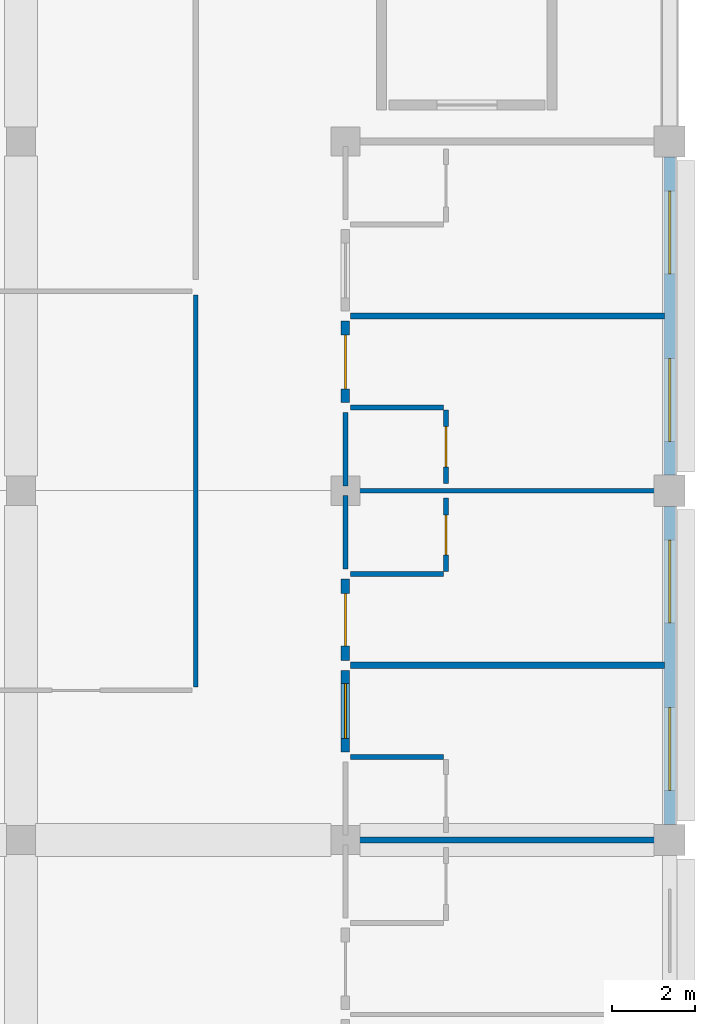
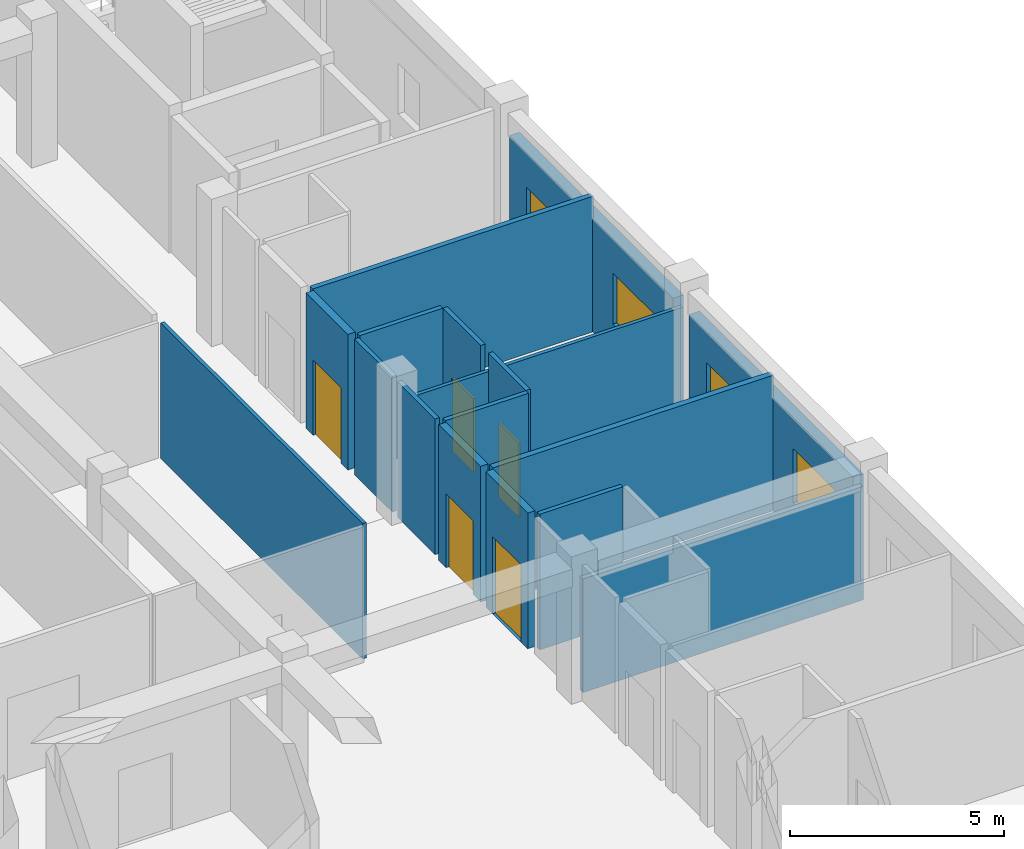
# One storey, part 36 of 53: 17 walls, 5 doors, 4 windows, 9 openings.
"""IFC4 building model written with IfcOpenShell, lengths in metres."""

from ifc_helpers import new_model, si_unit, direction, frame, frame_2d, origin, place, context, subcontext, project, spatial, rectangle, extrude, material, layer, layer_set, type_object, element, fill, save


model = new_model("IFC4")

# Units and contexts
model_context = context("Model", 3, precision=1e-05, world=origin(), true_north=direction((0.0, 1.0)))
body_context = subcontext(model_context, "Body", "Model", "MODEL_VIEW")
ifc_project = project(units=[si_unit("LENGTHUNIT", "METRE"), si_unit("AREAUNIT", "SQUARE_METRE"), si_unit("VOLUMEUNIT", "CUBIC_METRE"), si_unit("PLANEANGLEUNIT", "RADIAN"), si_unit("MASSUNIT", "GRAM", prefix="KILO"), si_unit("THERMODYNAMICTEMPERATUREUNIT", "KELVIN"), si_unit("POWERUNIT", "WATT")], contexts=[model_context])

# Site, building, storey
site_placement = place(None, origin())
site = spatial("IfcSite", under=ifc_project, at=site_placement, CompositionType="ELEMENT")
building_placement = place(site_placement, origin())
building = spatial("IfcBuilding", under=site, at=building_placement, Name="Srebrne Nadtorze General Hospital", CompositionType="ELEMENT")
storey_placement = place(building_placement, frame((0.0, 0.0, 18.0)))
storey = spatial("IfcBuildingStorey", under=building, at=storey_placement, Name="L04", CompositionType="ELEMENT", Elevation=18.0)

# Walls
ifc_material_1 = material(Name="Gypsum Healthcare Partition")
ifc_layer_1 = layer(ifc_material_1, 0.139892578125)
ifc_layer_set_1 = layer_set([ifc_layer_1], Name="Gypsum Healthcare Partition")
wall_type_1 = type_object("IfcWallType", Name="Clinical partition 140", PredefinedType="PARTITIONING", material=ifc_layer_set_1)
wall_1_placement = place(storey_placement, frame((140.52001953125, 50.39990234375, 0.0), z_axis=(0.0, 0.0, 1.0), x_axis=(1.0, 0.0, 0.0)))
element("IfcWall", 1, at=wall_1_placement, inside=storey, type_object=wall_type_1, Name="Ward inter-room partition WL-INT-L04-1792", PredefinedType="PARTITIONING", context=body_context, shape_type="SweptSolid", body=[
    extrude(rectangle(XDim=7.56005859375, YDim=0.139892578125, at=frame_2d((3.780029296875, 0.0))), origin(), (0.0, 0.0, 1.0), 3.235107421875),
])
wall_2_placement = place(storey_placement, frame((140.52001953125, 63.0, 0.0), z_axis=(0.0, 0.0, 1.0), x_axis=(1.0, 0.0, 0.0)))
element("IfcWall", 2, at=wall_2_placement, inside=storey, type_object=wall_type_1, Name="Ward inter-room partition WL-INT-L04-1807", PredefinedType="PARTITIONING", context=body_context, shape_type="SweptSolid", body=[
    extrude(rectangle(XDim=7.56005859375, YDim=0.139892578125, at=frame_2d((3.780029296875, 0.0))), origin(), (0.0, 0.0, 1.0), 3.864990234375),
])
ifc_material_2 = material(Name="Gypsum Healthcare Partition")
ifc_layer_2 = layer(ifc_material_2, 0.159912109375)
ifc_layer_set_2 = layer_set([ifc_layer_2], Name="Gypsum Healthcare Partition")
wall_type_2 = type_object("IfcWallType", Name="Clinical partition 160", PredefinedType="PARTITIONING", material=ifc_layer_set_2)
wall_3_placement = place(storey_placement, frame((140.52001953125, 54.60009765625, 0.0), z_axis=(0.0, 0.0, 1.0), x_axis=(1.0, 0.0, 0.0)))
element("IfcWall", 3, at=wall_3_placement, inside=storey, type_object=wall_type_2, Name="Ward inter-room partition WL-INT-L04-1797", PredefinedType="PARTITIONING", context=body_context, shape_type="SweptSolid", body=[
    extrude(rectangle(XDim=7.56005859375, YDim=0.159912109375, at=frame_2d((3.780029296875, 0.0))), origin(), (0.0, 0.0, 1.0), 3.864990234375),
])

# Wall, opening, door
ifc_material_3 = material(Name="Gypsum Healthcare Partition")
ifc_layer_3 = layer(ifc_material_3, 0.199951171875)
ifc_layer_set_3 = layer_set([ifc_layer_3], Name="Gypsum Healthcare Partition")
wall_type_3 = type_object("IfcWallType", Name="Compartment wall 200", PredefinedType="STANDARD", material=ifc_layer_set_3)
wall_4_placement = place(storey_placement, frame((140.39990234375, 52.52001953125, 0.0), z_axis=(0.0, 0.0, 1.0), x_axis=(0.0, 1.0, 0.0)))
wall_4 = element("IfcWall", 4, at=wall_4_placement, inside=storey, type_object=wall_type_3, Name="Ward corridor wall WL-INT-L04-1798", PredefinedType="STANDARD", context=body_context, shape_type="SweptSolid", body=[
    extrude(rectangle(XDim=1.9599609375, YDim=0.199951171875, at=frame_2d((0.97998046875, 0.0))), origin(), (0.0, 0.0, 1.0), 3.864990234375),
])
opening_1_placement = place(wall_4_placement, frame((0.320068359375, 0.0, 0.0)))
opening_1 = element("IfcOpeningElement", 5, at=opening_1_placement, cuts=wall_4, Name="Opening D-L04-0334", PredefinedType="OPENING", context=body_context, shape_type="SweptSolid", body=[
    extrude(rectangle(XDim=1.320068359375, YDim=2.199951171875, at=frame_2d((0.66015625, 1.10009765625))), frame((0.0, 0.11181640625, 0.0), z_axis=(0.0, -1.0, 0.0), x_axis=(1.0, 0.0, 0.0)), (0.0, 0.0, 1.0), 0.223876953125),
])
ifc_material_4 = material(Name="Anodised Aluminium", Category="aluminium")
door_type_1 = type_object("IfcDoorType", Name="Single leaf door 1320x2200", OperationType="NOTDEFINED", PredefinedType="DOOR", material=ifc_material_4)
door_1_placement = place(opening_1_placement, frame((1.320068359375, 0.0, 0.0), z_axis=(0.0, 0.0, 1.0), x_axis=(-1.0, 0.0, 0.0)))
door_1 = element("IfcDoor", 6, at=door_1_placement, inside=storey, type_object=door_type_1, Name="Ward patient room door D-L04-0334", OperationType="SINGLE_SWING_RIGHT", OverallHeight=2.199951171875, OverallWidth=1.320068359375, PredefinedType="DOOR", context=body_context, shape_type="SweptSolid", body=[
    extrude(rectangle(XDim=1.320068359375, YDim=2.199951171875, at=frame_2d((0.66015625, 1.10009765625))), frame((0.0, 0.02490234375, 0.0), z_axis=(0.0, -1.0, 0.0), x_axis=(1.0, 0.0, 0.0)), (0.0, 0.0, 1.0), 0.050048828125),
])
fill(opening_1, door_1)

wall_5_placement = place(storey_placement, frame((140.39990234375, 54.719970703125, 0.0), z_axis=(0.0, 0.0, 1.0), x_axis=(0.0, 1.0, 0.0)))
wall_5 = element("IfcWall", 7, at=wall_5_placement, inside=storey, type_object=wall_type_3, Name="Ward corridor wall WL-INT-L04-1803", PredefinedType="STANDARD", context=body_context, shape_type="SweptSolid", body=[
    extrude(rectangle(XDim=1.9599609375, YDim=0.199951171875, at=frame_2d((0.97998046875, 0.0))), origin(), (0.0, 0.0, 1.0), 3.864990234375),
])
opening_2_placement = place(wall_5_placement, frame((0.35009765625, 0.0, 0.0)))
opening_2 = element("IfcOpeningElement", 8, at=opening_2_placement, cuts=wall_5, Name="Opening D-L04-0336", PredefinedType="OPENING", context=body_context, shape_type="SweptSolid", body=[
    extrude(rectangle(XDim=1.260009765625, YDim=2.10009765625, at=frame_2d((0.6298828125, 1.050048828125))), frame((0.0, 0.11181640625, 0.0), z_axis=(0.0, -1.0, 0.0), x_axis=(1.0, 0.0, 0.0)), (0.0, 0.0, 1.0), 0.223876953125),
])
ifc_material_5 = material(Name="Anodised Aluminium", Category="aluminium")
door_type_2 = type_object("IfcDoorType", Name="Single leaf door 1260x2100", OperationType="NOTDEFINED", PredefinedType="DOOR", material=ifc_material_5)
door_2_placement = place(opening_2_placement, frame((1.260009765625, 0.0, 0.0), z_axis=(0.0, 0.0, 1.0), x_axis=(-1.0, 0.0, 0.0)))
door_2 = element("IfcDoor", 9, at=door_2_placement, inside=storey, type_object=door_type_2, Name="Ward patient room door D-L04-0336", OperationType="SINGLE_SWING_RIGHT", OverallHeight=2.10009765625, OverallWidth=1.260009765625, PredefinedType="DOOR", context=body_context, shape_type="SweptSolid", body=[
    extrude(rectangle(XDim=1.260009765625, YDim=2.10009765625, at=frame_2d((0.6298828125, 1.050048828125))), frame((0.0, 0.02490234375, 0.0), z_axis=(0.0, -1.0, 0.0), x_axis=(1.0, 0.0, 0.0)), (0.0, 0.0, 1.0), 0.050048828125),
])
fill(opening_2, door_2)

wall_6_placement = place(storey_placement, frame((140.39990234375, 60.919921875, 0.0), z_axis=(0.0, 0.0, 1.0), x_axis=(0.0, 1.0, 0.0)))
wall_6 = element("IfcWall", 10, at=wall_6_placement, inside=storey, type_object=wall_type_3, Name="Ward corridor wall WL-INT-L04-1808", PredefinedType="STANDARD", context=body_context, shape_type="SweptSolid", body=[
    extrude(rectangle(XDim=1.9599609375, YDim=0.199951171875, at=frame_2d((0.97998046875, 0.0))), origin(), (0.0, 0.0, 1.0), 3.864990234375),
])
opening_3_placement = place(wall_6_placement, frame((0.330078125, 0.0, 0.0)))
opening_3 = element("IfcOpeningElement", 11, at=opening_3_placement, cuts=wall_6, Name="Opening D-L04-0338", PredefinedType="OPENING", context=body_context, shape_type="SweptSolid", body=[
    extrude(rectangle(XDim=1.300048828125, YDim=2.14990234375, at=frame_2d((0.64990234375, 1.074951171875))), frame((0.0, 0.11181640625, 0.0), z_axis=(0.0, -1.0, 0.0), x_axis=(1.0, 0.0, 0.0)), (0.0, 0.0, 1.0), 0.223876953125),
])
ifc_material_6 = material(Name="Anodised Aluminium", Category="aluminium")
door_type_3 = type_object("IfcDoorType", Name="Single leaf door 1300x2150", OperationType="NOTDEFINED", PredefinedType="DOOR", material=ifc_material_6)
door_3_placement = place(opening_3_placement, frame((1.300048828125, 0.0, 0.0), z_axis=(0.0, 0.0, 1.0), x_axis=(-1.0, 0.0, 0.0)))
door_3 = element("IfcDoor", 12, at=door_3_placement, inside=storey, type_object=door_type_3, Name="Ward patient room door D-L04-0338", OperationType="SINGLE_SWING_RIGHT", OverallHeight=2.14990234375, OverallWidth=1.300048828125, PredefinedType="DOOR", context=body_context, shape_type="SweptSolid", body=[
    extrude(rectangle(XDim=1.300048828125, YDim=2.14990234375, at=frame_2d((0.64990234375, 1.074951171875))), frame((0.0, 0.02490234375, 0.0), z_axis=(0.0, -1.0, 0.0), x_axis=(1.0, 0.0, 0.0)), (0.0, 0.0, 1.0), 0.050048828125),
])
fill(opening_3, door_3)

# Walls
ifc_material_7 = material(Name="Gypsum Healthcare Partition")
ifc_layer_4 = layer(ifc_material_7, 0.1201171875)
ifc_layer_set_4 = layer_set([ifc_layer_4], Name="Gypsum Healthcare Partition")
wall_type_4 = type_object("IfcWallType", Name="En-suite partition 120", PredefinedType="PARTITIONING", material=ifc_layer_set_4)
wall_7_placement = place(storey_placement, frame((140.52001953125, 52.39990234375, 0.0), z_axis=(0.0, 0.0, 1.0), x_axis=(1.0, 0.0, 0.0)))
element("IfcWall", 13, at=wall_7_placement, inside=storey, type_object=wall_type_4, Name="En-suite wet wall WL-INT-L04-1800", PredefinedType="PARTITIONING", context=body_context, shape_type="SweptSolid", body=[
    extrude(rectangle(XDim=2.239990234375, YDim=0.1201171875, at=frame_2d((1.1201171875, 0.0))), origin(), (0.0, 0.0, 1.0), 3.864990234375),
])
wall_8_placement = place(storey_placement, frame((140.39990234375, 56.919921875, 0.0), z_axis=(0.0, 0.0, 1.0), x_axis=(0.0, 1.0, 0.0)))
element("IfcWall", 14, at=wall_8_placement, inside=storey, type_object=wall_type_4, Name="En-suite corridor wall WL-INT-L04-1804", PredefinedType="PARTITIONING", context=body_context, shape_type="SweptSolid", body=[
    extrude(rectangle(XDim=1.760009765625, YDim=0.1201171875, at=frame_2d((0.8798828125, 0.0))), origin(), (0.0, 0.0, 1.0), 3.864990234375),
])
wall_9_placement = place(storey_placement, frame((140.52001953125, 56.800048828125, 0.0), z_axis=(0.0, 0.0, 1.0), x_axis=(1.0, 0.0, 0.0)))
element("IfcWall", 15, at=wall_9_placement, inside=storey, type_object=wall_type_4, Name="En-suite wet wall WL-INT-L04-1805", PredefinedType="PARTITIONING", context=body_context, shape_type="SweptSolid", body=[
    extrude(rectangle(XDim=2.239990234375, YDim=0.1201171875, at=frame_2d((1.1201171875, 0.0))), origin(), (0.0, 0.0, 1.0), 3.864990234375),
])

# Wall, opening, door
wall_10_placement = place(storey_placement, frame((142.820068359375, 56.860107421875, 0.0), z_axis=(0.0, 0.0, 1.0), x_axis=(0.0, 1.0, 0.0)))
wall_10 = element("IfcWall", 16, at=wall_10_placement, inside=storey, type_object=wall_type_4, Name="En-suite wet wall WL-INT-L04-1806", PredefinedType="PARTITIONING", context=body_context, shape_type="SweptSolid", body=[
    extrude(rectangle(XDim=1.760009765625, YDim=0.1201171875, at=frame_2d((0.8798828125, 0.0))), origin(), (0.0, 0.0, 1.0), 3.864990234375),
])
opening_4_placement = place(wall_10_placement, frame((0.39990234375, 0.0, 0.0)))
opening_4 = element("IfcOpeningElement", 17, at=opening_4_placement, cuts=wall_10, Name="Opening D-L04-0337", PredefinedType="OPENING", context=body_context, shape_type="SweptSolid", body=[
    extrude(rectangle(XDim=0.9599609375, YDim=2.1201171875, at=frame_2d((0.47998046875, 1.06005859375))), frame((0.0, 0.072021484375, 0.0), z_axis=(0.0, -1.0, 0.0), x_axis=(1.0, 0.0, 0.0)), (0.0, 0.0, 1.0), 0.14404296875),
])
ifc_material_8 = material(Name="Anodised Aluminium", Category="aluminium")
door_type_4 = type_object("IfcDoorType", Name="Single leaf door 960x2120", OperationType="NOTDEFINED", PredefinedType="DOOR", material=ifc_material_8)
door_4_placement = place(opening_4_placement, origin())
door_4 = element("IfcDoor", 18, at=door_4_placement, inside=storey, type_object=door_type_4, Name="En-suite bathroom door D-L04-0337", OperationType="SINGLE_SWING_RIGHT", OverallHeight=2.1201171875, OverallWidth=0.9599609375, PredefinedType="DOOR", context=body_context, shape_type="SweptSolid", body=[
    extrude(rectangle(XDim=0.9599609375, YDim=2.1201171875, at=frame_2d((0.47998046875, 1.06005859375))), frame((0.0, 0.02490234375, 0.0), z_axis=(0.0, -1.0, 0.0), x_axis=(1.0, 0.0, 0.0)), (0.0, 0.0, 1.0), 0.050048828125),
])
fill(opening_4, door_4)

# Walls
wall_11_placement = place(storey_placement, frame((140.39990234375, 58.919921875, 0.0), z_axis=(0.0, 0.0, 1.0), x_axis=(0.0, 1.0, 0.0)))
element("IfcWall", 19, at=wall_11_placement, inside=storey, type_object=wall_type_4, Name="En-suite corridor wall WL-INT-L04-1809", PredefinedType="PARTITIONING", context=body_context, shape_type="SweptSolid", body=[
    extrude(rectangle(XDim=1.760009765625, YDim=0.1201171875, at=frame_2d((0.8798828125, 0.0))), origin(), (0.0, 0.0, 1.0), 3.864990234375),
])
wall_12_placement = place(storey_placement, frame((140.52001953125, 60.800048828125, 0.0), z_axis=(0.0, 0.0, 1.0), x_axis=(1.0, 0.0, 0.0)))
element("IfcWall", 20, at=wall_12_placement, inside=storey, type_object=wall_type_4, Name="En-suite wet wall WL-INT-L04-1810", PredefinedType="PARTITIONING", context=body_context, shape_type="SweptSolid", body=[
    extrude(rectangle(XDim=2.239990234375, YDim=0.1201171875, at=frame_2d((1.1201171875, 0.0))), origin(), (0.0, 0.0, 1.0), 3.864990234375),
])

# Wall, opening, door
wall_13_placement = place(storey_placement, frame((142.820068359375, 58.97998046875, 0.0), z_axis=(0.0, 0.0, 1.0), x_axis=(0.0, 1.0, 0.0)))
wall_13 = element("IfcWall", 21, at=wall_13_placement, inside=storey, type_object=wall_type_4, Name="En-suite wet wall WL-INT-L04-1811", PredefinedType="PARTITIONING", context=body_context, shape_type="SweptSolid", body=[
    extrude(rectangle(XDim=1.760009765625, YDim=0.1201171875, at=frame_2d((0.8798828125, 0.0))), origin(), (0.0, 0.0, 1.0), 3.864990234375),
])
opening_5_placement = place(wall_13_placement, frame((0.389892578125, 0.0, 0.0)))
opening_5 = element("IfcOpeningElement", 22, at=opening_5_placement, cuts=wall_13, Name="Opening D-L04-0339", PredefinedType="OPENING", context=body_context, shape_type="SweptSolid", body=[
    extrude(rectangle(XDim=0.97998046875, YDim=2.10009765625, at=frame_2d((0.489990234375, 1.050048828125))), frame((0.0, 0.072021484375, 0.0), z_axis=(0.0, -1.0, 0.0), x_axis=(1.0, 0.0, 0.0)), (0.0, 0.0, 1.0), 0.14404296875),
])
ifc_material_9 = material(Name="Anodised Aluminium", Category="aluminium")
door_type_5 = type_object("IfcDoorType", Name="Single leaf door 980x2100", OperationType="NOTDEFINED", PredefinedType="DOOR", material=ifc_material_9)
door_5_placement = place(opening_5_placement, origin())
door_5 = element("IfcDoor", 23, at=door_5_placement, inside=storey, type_object=door_type_5, Name="En-suite bathroom door D-L04-0339", OperationType="SINGLE_SWING_RIGHT", OverallHeight=2.10009765625, OverallWidth=0.97998046875, PredefinedType="DOOR", context=body_context, shape_type="SweptSolid", body=[
    extrude(rectangle(XDim=0.97998046875, YDim=2.10009765625, at=frame_2d((0.489990234375, 1.050048828125))), frame((0.0, 0.02490234375, 0.0), z_axis=(0.0, -1.0, 0.0), x_axis=(1.0, 0.0, 0.0)), (0.0, 0.0, 1.0), 0.050048828125),
])
fill(opening_5, door_5)

# Walls
ifc_material_10 = material(Name="Gypsum Healthcare Partition")
ifc_layer_5 = layer(ifc_material_10, 0.10009765625)
ifc_layer_set_5 = layer_set([ifc_layer_5], Name="Gypsum Healthcare Partition")
wall_type_5 = type_object("IfcWallType", Name="Shaft lining wall 100", PredefinedType="PARTITIONING", material=ifc_layer_set_5)
wall_14_placement = place(storey_placement, frame((140.52001953125, 58.800048828125, 0.0), z_axis=(0.0, 0.0, 1.0), x_axis=(1.0, 0.0, 0.0)))
element("IfcWall", 24, at=wall_14_placement, inside=storey, type_object=wall_type_5, Name="Ward inter-room partition WL-INT-L04-1802", PredefinedType="PARTITIONING", context=body_context, shape_type="SweptSolid", body=[
    extrude(rectangle(XDim=7.56005859375, YDim=0.10009765625, at=frame_2d((3.780029296875, 0.0))), origin(), (0.0, 0.0, 1.0), 3.235107421875),
])
wall_15_placement = place(storey_placement, frame((136.800048828125, 54.0849609375, 0.0), z_axis=(0.0, 0.0, 1.0), x_axis=(0.0, 1.0, 0.0)))
element("IfcWall", 25, at=wall_15_placement, inside=storey, type_object=wall_type_5, Name="Dirty Utility wall WL-INT-L04-1847", PredefinedType="PARTITIONING", context=body_context, shape_type="SweptSolid", body=[
    extrude(rectangle(XDim=9.429931640625, YDim=0.10009765625, at=frame_2d((4.71484375, 0.0))), origin(), (0.0, 0.0, 1.0), 3.864990234375),
])

# Wall, openings, windows
ifc_material_11 = material(Name="Concrete C35/45 precast", Category="concrete")
ifc_layer_6 = layer(ifc_material_11, 0.280029296875)
ifc_layer_set_6 = layer_set([ifc_layer_6], Name="Concrete C35/45 precast")
wall_type_6 = type_object("IfcWallType", Name="Spandrel wall 280", PredefinedType="STANDARD", material=ifc_layer_set_6)
wall_16_placement = place(storey_placement, frame((148.199951171875, 50.77490234375, 0.0), z_axis=(0.0, 0.0, 1.0), x_axis=(0.0, 1.0, 0.0)))
wall_16 = element("IfcWall", 26, at=wall_16_placement, inside=storey, type_object=wall_type_6, Name="Exterior wall WL-ENV-L04-0399", PredefinedType="STANDARD", context=body_context, shape_type="SweptSolid", body=[
    extrude(rectangle(XDim=7.650146484375, YDim=0.280029296875, at=frame_2d((3.8251953125, 0.0))), origin(), (0.0, 0.0, 1.0), 3.235107421875),
])
opening_6_placement = place(wall_16_placement, frame((0.80908203125, 0.0, 0.800048828125)))
opening_6 = element("IfcOpeningElement", 27, at=opening_6_placement, cuts=wall_16, Name="Opening WN-L04-0625", PredefinedType="OPENING", context=body_context, shape_type="SweptSolid", body=[
    extrude(rectangle(XDim=2.0, YDim=1.550048828125, at=frame_2d((1.0, 0.77490234375))), frame((0.0, 0.15185546875, 0.0), z_axis=(0.0, -1.0, 0.0), x_axis=(1.0, 0.0, 0.0)), (0.0, 0.0, 1.0), 0.303955078125),
])
opening_7_placement = place(wall_16_placement, frame((4.841064453125, 0.0, 0.800048828125)))
opening_7 = element("IfcOpeningElement", 28, at=opening_7_placement, cuts=wall_16, Name="Opening WN-L04-0626", PredefinedType="OPENING", context=body_context, shape_type="SweptSolid", body=[
    extrude(rectangle(XDim=2.0, YDim=1.550048828125, at=frame_2d((1.0, 0.77490234375))), frame((0.0, 0.15185546875, 0.0), z_axis=(0.0, -1.0, 0.0), x_axis=(1.0, 0.0, 0.0)), (0.0, 0.0, 1.0), 0.303955078125),
])
ifc_material_12 = material(Name="Triple Low-E Glazing", Category="glass")
window_type_1 = type_object("IfcWindowType", Name="Punched clinical window 2000x1550", PartitioningType="DOUBLE_PANEL_VERTICAL", PredefinedType="WINDOW", material=ifc_material_12)
window_1_placement = place(opening_6_placement, origin())
window_1 = element("IfcWindow", 29, at=window_1_placement, inside=storey, type_object=window_type_1, Name="Clinical window WN-L04-0625", OverallHeight=1.550048828125, OverallWidth=2.0, PartitioningType="DOUBLE_PANEL_VERTICAL", PredefinedType="WINDOW", context=body_context, shape_type="SweptSolid", body=[
    extrude(rectangle(XDim=2.0, YDim=1.550048828125, at=frame_2d((1.0, 0.77490234375))), frame((0.0, 0.030029296875, 0.0), z_axis=(0.0, -1.0, 0.0), x_axis=(1.0, 0.0, 0.0)), (0.0, 0.0, 1.0), 0.06005859375),
])
fill(opening_6, window_1)
window_2_placement = place(opening_7_placement, origin())
window_2 = element("IfcWindow", 30, at=window_2_placement, inside=storey, type_object=window_type_1, Name="Clinical window WN-L04-0626", OverallHeight=1.550048828125, OverallWidth=2.0, PartitioningType="DOUBLE_PANEL_VERTICAL", PredefinedType="WINDOW", context=body_context, shape_type="SweptSolid", body=[
    extrude(rectangle(XDim=2.0, YDim=1.550048828125, at=frame_2d((1.0, 0.77490234375))), frame((0.0, 0.030029296875, 0.0), z_axis=(0.0, -1.0, 0.0), x_axis=(1.0, 0.0, 0.0)), (0.0, 0.0, 1.0), 0.06005859375),
])
fill(opening_7, window_2)

wall_17_placement = place(storey_placement, frame((148.199951171875, 59.175048828125, 0.0), z_axis=(0.0, 0.0, 1.0), x_axis=(0.0, 1.0, 0.0)))
wall_17 = element("IfcWall", 31, at=wall_17_placement, inside=storey, type_object=wall_type_6, Name="Exterior wall WL-ENV-L04-0400", PredefinedType="STANDARD", context=body_context, shape_type="SweptSolid", body=[
    extrude(rectangle(XDim=7.64990234375, YDim=0.280029296875, at=frame_2d((3.824951171875, 0.0))), origin(), (0.0, 0.0, 1.0), 3.235107421875),
])
opening_8_placement = place(wall_17_placement, frame((0.80908203125, 0.0, 0.800048828125)))
opening_8 = element("IfcOpeningElement", 32, at=opening_8_placement, cuts=wall_17, Name="Opening WN-L04-0627", PredefinedType="OPENING", context=body_context, shape_type="SweptSolid", body=[
    extrude(rectangle(XDim=2.0, YDim=1.449951171875, at=frame_2d((1.0, 0.72509765625))), frame((0.0, 0.15185546875, 0.0), z_axis=(0.0, -1.0, 0.0), x_axis=(1.0, 0.0, 0.0)), (0.0, 0.0, 1.0), 0.303955078125),
])
opening_9_placement = place(wall_17_placement, frame((4.841064453125, 0.0, 0.800048828125)))
opening_9 = element("IfcOpeningElement", 33, at=opening_9_placement, cuts=wall_17, Name="Opening WN-L04-0628", PredefinedType="OPENING", context=body_context, shape_type="SweptSolid", body=[
    extrude(rectangle(XDim=2.0, YDim=1.449951171875, at=frame_2d((1.0, 0.72509765625))), frame((0.0, 0.15185546875, 0.0), z_axis=(0.0, -1.0, 0.0), x_axis=(1.0, 0.0, 0.0)), (0.0, 0.0, 1.0), 0.303955078125),
])
ifc_material_13 = material(Name="Triple Low-E Glazing", Category="glass")
window_type_2 = type_object("IfcWindowType", Name="Punched clinical window 2000x1450", PartitioningType="DOUBLE_PANEL_VERTICAL", PredefinedType="WINDOW", material=ifc_material_13)
window_3_placement = place(opening_8_placement, origin())
window_3 = element("IfcWindow", 34, at=window_3_placement, inside=storey, type_object=window_type_2, Name="Clinical window WN-L04-0627", OverallHeight=1.449951171875, OverallWidth=2.0, PartitioningType="DOUBLE_PANEL_VERTICAL", PredefinedType="WINDOW", context=body_context, shape_type="SweptSolid", body=[
    extrude(rectangle(XDim=2.0, YDim=1.449951171875, at=frame_2d((1.0, 0.72509765625))), frame((0.0, 0.030029296875, 0.0), z_axis=(0.0, -1.0, 0.0), x_axis=(1.0, 0.0, 0.0)), (0.0, 0.0, 1.0), 0.06005859375),
])
fill(opening_8, window_3)
window_4_placement = place(opening_9_placement, origin())
window_4 = element("IfcWindow", 35, at=window_4_placement, inside=storey, type_object=window_type_2, Name="Clinical window WN-L04-0628", OverallHeight=1.449951171875, OverallWidth=2.0, PartitioningType="DOUBLE_PANEL_VERTICAL", PredefinedType="WINDOW", context=body_context, shape_type="SweptSolid", body=[
    extrude(rectangle(XDim=2.0, YDim=1.449951171875, at=frame_2d((1.0, 0.72509765625))), frame((0.0, 0.030029296875, 0.0), z_axis=(0.0, -1.0, 0.0), x_axis=(1.0, 0.0, 0.0)), (0.0, 0.0, 1.0), 0.06005859375),
])
fill(opening_9, window_4)

save(model, "model.ifc")
